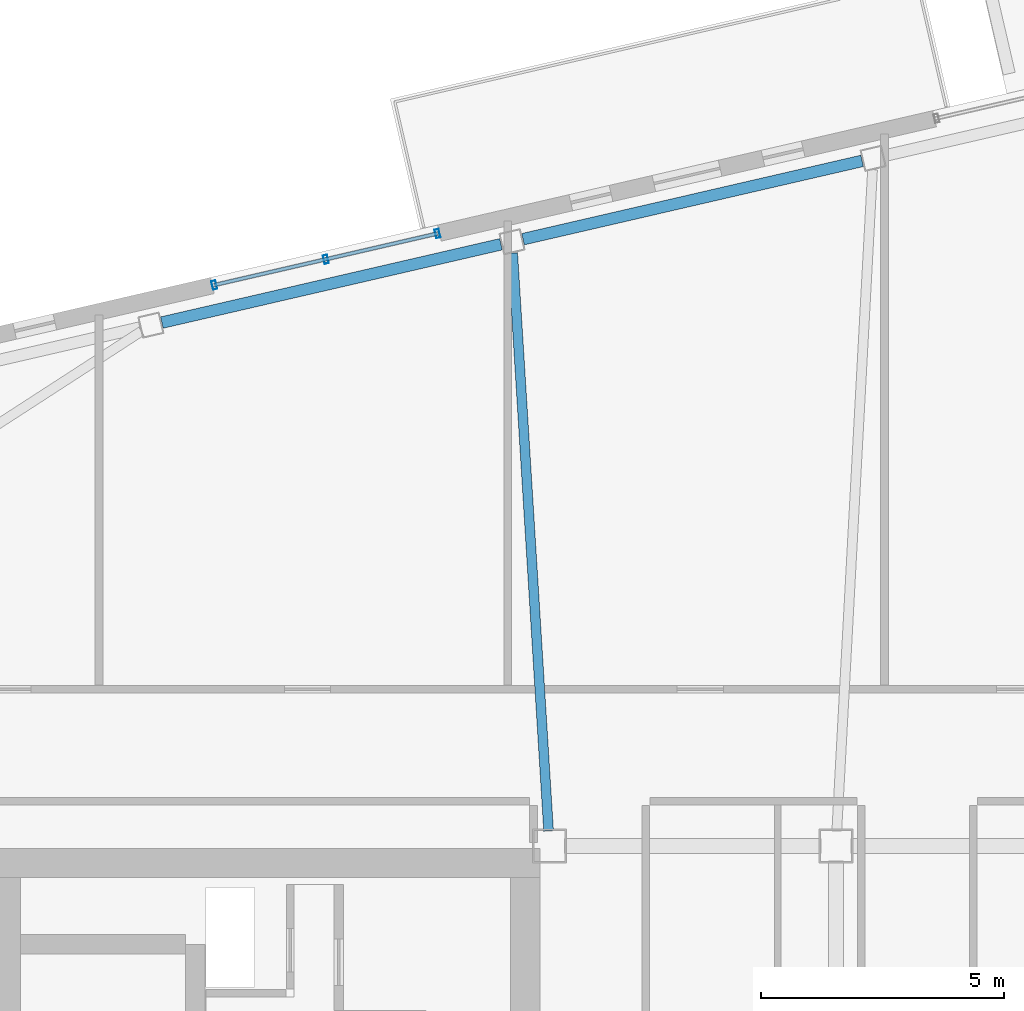
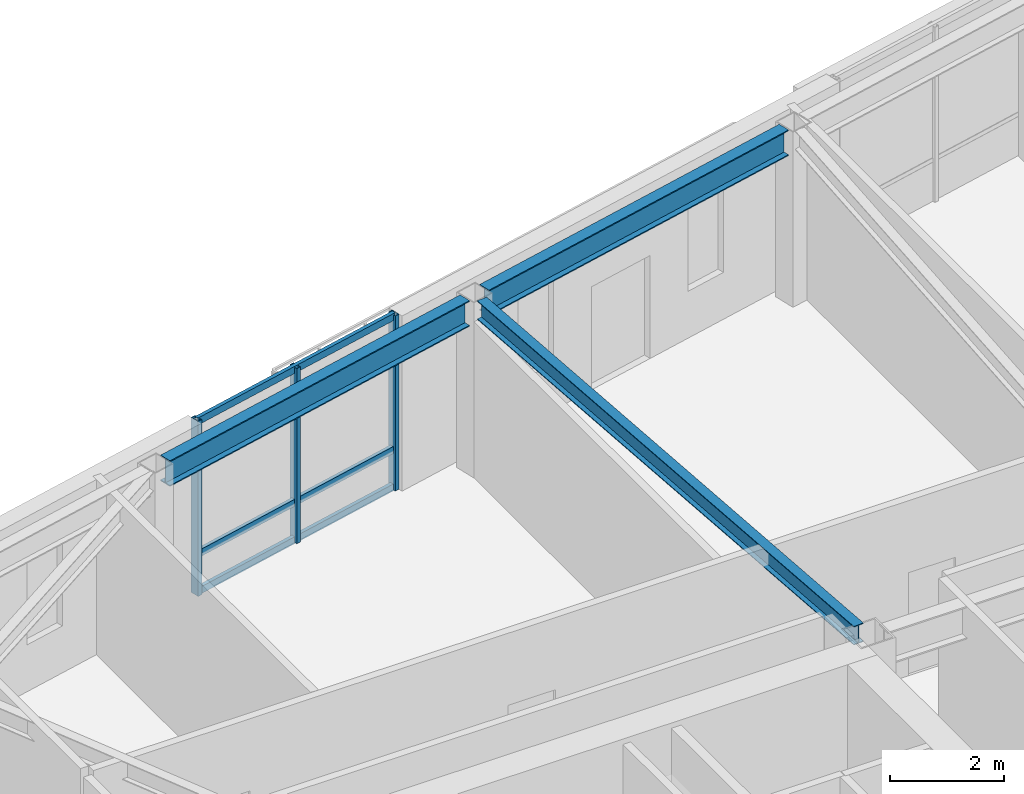
# One storey, part 12 of 24: 6 members, 3 beams, 1 element without a shape of its own.
"""IFC4 building model written with IfcOpenShell, lengths in metres."""

from ifc_helpers import new_model, si_unit, direction, frame, origin, origin_2d, place, context, subcontext, project, spatial, hollow_rectangle, i_section, extrude, material, layer, layer_set, material_profile, profile_set, type_object, element, aggregate, save


model = new_model("IFC4")

# Units and contexts
model_context = context("Model", 3, precision=1e-05, world=origin(), true_north=direction((0.0, 1.0)))
body_context = subcontext(model_context, "Body", "Model", "MODEL_VIEW")
ifc_project = project(units=[si_unit("LENGTHUNIT", "METRE"), si_unit("AREAUNIT", "SQUARE_METRE"), si_unit("VOLUMEUNIT", "CUBIC_METRE"), si_unit("PLANEANGLEUNIT", "RADIAN"), si_unit("MASSUNIT", "GRAM", prefix="KILO")], contexts=[model_context])

# Site, building, storey
site_placement = place(None, origin())
site = spatial("IfcSite", under=ifc_project, at=site_placement, CompositionType="ELEMENT")
building_placement = place(site_placement, origin())
building = spatial("IfcBuilding", under=site, at=building_placement, Name="Tavrogorsk Clinical Tower", CompositionType="ELEMENT")
storey_placement = place(building_placement, frame((0.0, 0.0, 321.0)))
storey = spatial("IfcBuildingStorey", under=building, at=storey_placement, Name="L75", CompositionType="ELEMENT", Elevation=321.0)

# Curtain wall, members
ifc_material_1 = material(Name="Anodised aluminium and triple IGU glazing", Category="aluminium")
ifc_layer = layer(ifc_material_1, 0.179931640625)
ifc_layer_set = layer_set([ifc_layer], Name="Anodised aluminium and triple IGU glazing")
curtain_wall_type = type_object("IfcCurtainWallType", Name="CW2_NorthSlot", PredefinedType="NOTDEFINED", material=ifc_layer_set)
curtain_wall_placement = place(storey_placement, origin())
curtain_wall = element("IfcCurtainWall", 1, at=curtain_wall_placement, inside=storey, type_object=curtain_wall_type, Name="L75 Curtain Wall CW-L75-N-SLOT-1", PredefinedType="NOTDEFINED")
ifc_material_2 = material(Name="Anodised aluminium alloy AW-6060", Category="aluminium")
ifc_material_profile_1 = material_profile(ifc_material_2, hollow_rectangle(XDim=0.090087890625, YDim=0.179931640625, WallThickness=0.00634765625, at=origin_2d()), Name="RHS-180x90x6.3")
ifc_profile_set_1 = profile_set([ifc_material_profile_1], Name="Anodised aluminium alloy AW-6060")
member_type_1 = type_object("IfcMemberType", Name="CwMullion_180x90", PredefinedType="MULLION", material=ifc_profile_set_1)
member_1_placement = place(storey_placement, frame((-12.608154296875, 18.9658203125, 0.0), z_axis=(0.0, 0.0, 1.0), x_axis=(-0.974370057377, -0.224951086434, 0.0)))
member_1 = element("IfcMember", 2, at=member_1_placement, type_object=member_type_1, Name="CW-L75-N-SLOT-1 Mullion 1", PredefinedType="MULLION", context=body_context, shape_type="SweptSolid", body=[
    extrude(hollow_rectangle(XDim=0.090087890625, YDim=0.179931640625, WallThickness=0.00634765625, at=origin_2d()), origin(), (0.0, 0.0, 1.0), 3.739990234375),
])
member_2_placement = place(storey_placement, frame((-14.90673828125, 18.435302734375, 0.0), z_axis=(0.0, 0.0, 1.0), x_axis=(-0.974370057377, -0.224951086434, 0.0)))
member_2 = element("IfcMember", 3, at=member_2_placement, type_object=member_type_1, Name="CW-L75-N-SLOT-1 Mullion 2", PredefinedType="MULLION", context=body_context, shape_type="SweptSolid", body=[
    extrude(hollow_rectangle(XDim=0.090087890625, YDim=0.179931640625, WallThickness=0.00634765625, at=origin_2d()), origin(), (0.0, 0.0, 1.0), 3.739990234375),
])
member_3_placement = place(storey_placement, frame((-17.205322265625, 17.904541015625, 0.0), z_axis=(0.0, 0.0, 1.0), x_axis=(-0.974370057377, -0.224951086434, 0.0)))
member_3 = element("IfcMember", 4, at=member_3_placement, type_object=member_type_1, Name="CW-L75-N-SLOT-1 Mullion 3", PredefinedType="MULLION", context=body_context, shape_type="SweptSolid", body=[
    extrude(hollow_rectangle(XDim=0.090087890625, YDim=0.179931640625, WallThickness=0.00634765625, at=origin_2d()), origin(), (0.0, 0.0, 1.0), 3.739990234375),
])
ifc_material_3 = material(Name="Anodised aluminium alloy AW-6060", Category="aluminium")
ifc_material_profile_2 = material_profile(ifc_material_3, hollow_rectangle(XDim=0.074951171875, YDim=0.14990234375, WallThickness=0.0048828125, at=origin_2d()), Name="RHS-150x75x5")
ifc_profile_set_2 = profile_set([ifc_material_profile_2], Name="Anodised aluminium alloy AW-6060")
member_type_2 = type_object("IfcMemberType", Name="CwTransom_150x75", PredefinedType="USERDEFINED", material=ifc_profile_set_2)
member_4_placement = place(storey_placement, frame((-12.608154296875, 18.9658203125, 0.050048828125), z_axis=(-0.974372877948, -0.22493886885, 0.0), x_axis=(0.22493886885, -0.974372877948, 0.0)))
member_4 = element("IfcMember", 5, at=member_4_placement, type_object=member_type_2, Name="CW-L75-N-SLOT-1 Transom 1", ObjectType="TRANSOM", PredefinedType="USERDEFINED", context=body_context, shape_type="SweptSolid", body=[
    extrude(hollow_rectangle(XDim=0.074951171875, YDim=0.14990234375, WallThickness=0.0048828125, at=origin_2d()), origin(), (0.0, 0.0, 1.0), 4.718017578125),
])
member_5_placement = place(storey_placement, frame((-12.608154296875, 18.9658203125, 0.85009765625), z_axis=(-0.974372877948, -0.22493886885, 0.0), x_axis=(0.22493886885, -0.974372877948, 0.0)))
member_5 = element("IfcMember", 6, at=member_5_placement, type_object=member_type_2, Name="CW-L75-N-SLOT-1 Transom 2", ObjectType="TRANSOM", PredefinedType="USERDEFINED", context=body_context, shape_type="SweptSolid", body=[
    extrude(hollow_rectangle(XDim=0.074951171875, YDim=0.14990234375, WallThickness=0.0048828125, at=origin_2d()), origin(), (0.0, 0.0, 1.0), 4.718017578125),
])
member_6_placement = place(storey_placement, frame((-12.608154296875, 18.9658203125, 3.68994140625), z_axis=(-0.974372877948, -0.22493886885, 0.0), x_axis=(0.22493886885, -0.974372877948, 0.0)))
member_6 = element("IfcMember", 7, at=member_6_placement, type_object=member_type_2, Name="CW-L75-N-SLOT-1 Transom 3", ObjectType="TRANSOM", PredefinedType="USERDEFINED", context=body_context, shape_type="SweptSolid", body=[
    extrude(hollow_rectangle(XDim=0.074951171875, YDim=0.14990234375, WallThickness=0.0048828125, at=origin_2d()), origin(), (0.0, 0.0, 1.0), 4.718017578125),
])
aggregate(curtain_wall, [member_1, member_2, member_3, member_4, member_5, member_6])

# Beams
ifc_material_4 = material(Name="Structural steel S355", Category="steel")
ifc_material_profile_3 = material_profile(ifc_material_4, i_section(OverallWidth=0.199951171875, OverallDepth=0.39990234375, WebThickness=0.010498046875, FlangeThickness=0.01611328125, at=origin_2d()), Name="B-400x200x10.5x16")
ifc_profile_set_3 = profile_set([ifc_material_profile_3], Name="Structural steel S355")
beam_type_1 = type_object("IfcBeamType", Name="FloorBeam_B400", PredefinedType="BEAM", material=ifc_profile_set_3)
beam_placement = place(storey_placement, frame((-10.319091796875, 6.659423828125, 3.5400390625), z_axis=(-0.06197688672, 0.998077584916, 0.0), x_axis=(-0.998077584916, -0.06197688672, 0.0)))
element("IfcBeam", 8, at=beam_placement, inside=storey, type_object=beam_type_1, Name="L75 Radial Floor Beam N5", PredefinedType="BEAM", context=body_context, shape_type="SweptSolid", body=[
    extrude(i_section(OverallWidth=0.199951171875, OverallDepth=0.39990234375, WebThickness=0.010498046875, FlangeThickness=0.01611328125, at=origin_2d()), origin(), (0.0, 0.0, 1.0), 11.927978515625),
])
ifc_material_5 = material(Name="Structural steel S390", Category="steel")
ifc_material_profile_4 = material_profile(ifc_material_5, i_section(OverallWidth=0.239990234375, OverallDepth=0.550048828125, WebThickness=0.013916015625, FlangeThickness=0.02197265625, at=origin_2d()), Name="B-550x240x14x22")
ifc_profile_set_4 = profile_set([ifc_material_profile_4], Name="Structural steel S390")
beam_type_2 = type_object("IfcBeamType", Name="SpandrelBeam_B550", PredefinedType="SPANDREL", material=ifc_profile_set_4)
for number, where, z_axis, x_axis, name in (
    (9, (-3.861328125, 20.4619140625, 3.465087890625), (-0.974367655018, -0.224961491939, 0.0), (0.224961491939, -0.974367655018, 0.0), "L75 Perimeter Spandrel N4-N5"),
    (10, (-11.2998046875, 18.74462890625, 3.465087890625), (-0.974367655018, -0.224961491939, 0.0), (0.224961491939, -0.974367655018, 0.0), "L75 Perimeter Spandrel N5-N6"),
):
    element("IfcBeam", number, at=place(storey_placement, frame(where, z_axis=z_axis, x_axis=x_axis)), inside=storey, type_object=beam_type_2, Name=name, PredefinedType="SPANDREL", context=body_context, shape_type="SweptSolid", body=[
        extrude(i_section(OverallWidth=0.239990234375, OverallDepth=0.550048828125, WebThickness=0.013916015625, FlangeThickness=0.02197265625, at=origin_2d()), origin(), (0.0, 0.0, 1.0), 7.168212890625),
    ])

save(model, "model.ifc")
